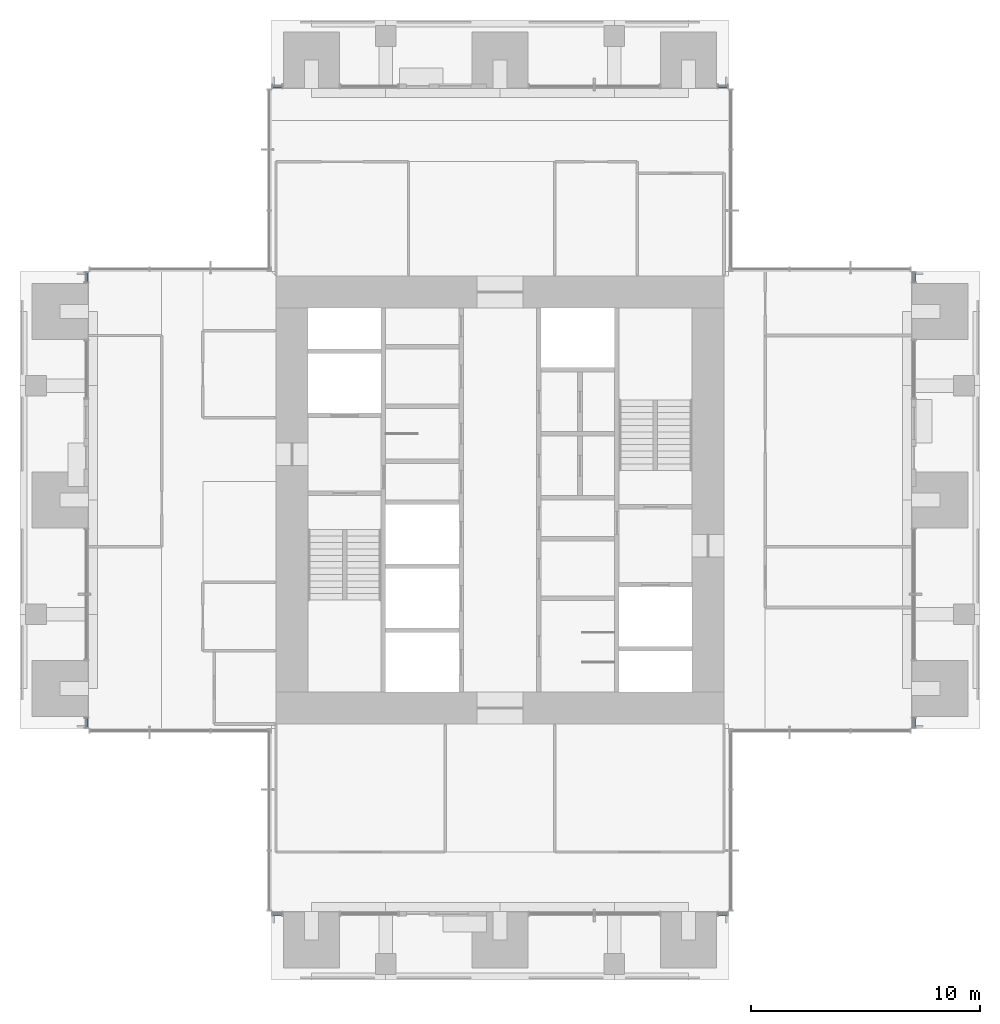
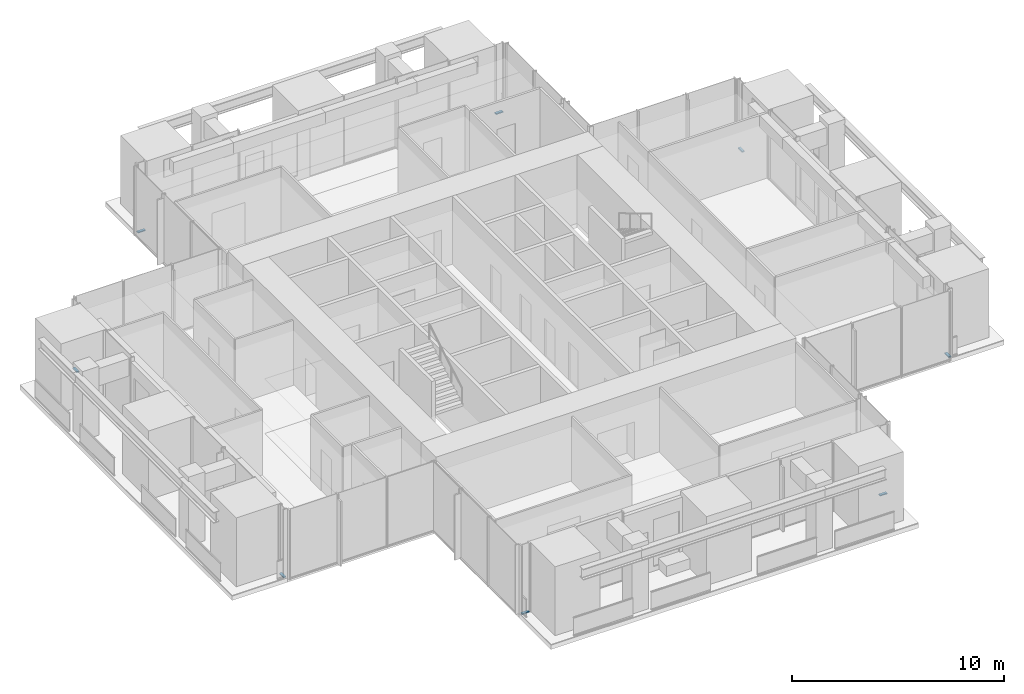
# One storey, part 6 of 17: 8 members, 8 elements without a shape of their own.
"""IFC4 building model written with IfcOpenShell, lengths in metres."""

from ifc_helpers import new_model, si_unit, direction, frame, origin, origin_2d, place, context, subcontext, project, spatial, rectangle, extrude, material, material_profile, profile_set, type_object, element, aggregate, save


model = new_model("IFC4")

# Units and contexts
model_context = context("Model", 3, precision=1e-05, world=origin(), true_north=direction((0.0, 1.0)))
body_context = subcontext(model_context, "Body", "Model", "MODEL_VIEW")
ifc_project = project(units=[si_unit("LENGTHUNIT", "METRE"), si_unit("AREAUNIT", "SQUARE_METRE"), si_unit("VOLUMEUNIT", "CUBIC_METRE"), si_unit("PLANEANGLEUNIT", "RADIAN"), si_unit("MASSUNIT", "GRAM", prefix="KILO")], contexts=[model_context])

# Site, building, storey
site_placement = place(None, origin())
site = spatial("IfcSite", under=ifc_project, at=site_placement, CompositionType="ELEMENT")
building_placement = place(site_placement, origin())
building = spatial("IfcBuilding", under=site, at=building_placement, Name="Svetlomir Tower", CompositionType="ELEMENT")
storey_placement = place(building_placement, frame((0.0, 0.0, 214.5)))
storey = spatial("IfcBuildingStorey", under=building, at=storey_placement, Name="L51", CompositionType="ELEMENT", Elevation=214.5)

# Curtain wall, member
ifc_material_1 = material(Name="Bronze anodised aluminium curtain wall", Category="aluminium")
curtain_wall_type = type_object("IfcCurtainWallType", Name="CURTAIN WALL CW1 TOWER OFFICE", PredefinedType="NOTDEFINED", material=ifc_material_1)
curtain_wall_1_placement = place(storey_placement, origin())
curtain_wall_1 = element("IfcCurtainWall", 1, at=curtain_wall_1_placement, inside=storey, type_object=curtain_wall_type, Name="Curtain wall CW1 L51", PredefinedType="NOTDEFINED")
ifc_material_2 = material(Name="Bronze anodised aluminium", Category="aluminium")
ifc_material_profile = material_profile(ifc_material_2, rectangle(XDim=0.139892578125, YDim=0.06494140625, at=origin_2d()), Name="AL 140x65")
ifc_profile_set = profile_set([ifc_material_profile], Name="Bronze anodised aluminium 6063-T6")
member_type = type_object("IfcMemberType", Name="CW1 TRANSOM 65x140", PredefinedType="USERDEFINED", material=ifc_profile_set)
member_1_placement = place(storey_placement, frame((11.06494140625, 2.89990234375, 0.032470703125), z_axis=(1.0, 0.0, 0.0), x_axis=(0.0, 1.0, 0.0)))
member_1 = element("IfcMember", 2, at=member_1_placement, type_object=member_type, Name="CW1 transom 1.1", ObjectType="TRANSOM", PredefinedType="USERDEFINED", context=body_context, shape_type="SweptSolid", body=[
    extrude(rectangle(XDim=0.139892578125, YDim=0.06494140625, at=origin_2d()), origin(), (0.0, 0.0, 1.0), 0.39501953125),
])
aggregate(curtain_wall_1, [member_1])

curtain_wall_2_placement = place(storey_placement, origin())
curtain_wall_2 = element("IfcCurtainWall", 3, at=curtain_wall_2_placement, inside=storey, type_object=curtain_wall_type, Name="Curtain wall CW1 L51", PredefinedType="NOTDEFINED")
member_2_placement = place(storey_placement, frame((30.5400390625, 2.89990234375, 0.032470703125), z_axis=(1.0, 0.0, 0.0), x_axis=(0.0, 1.0, 0.0)))
member_2 = element("IfcMember", 4, at=member_2_placement, type_object=member_type, Name="CW1 transom 1.1", ObjectType="TRANSOM", PredefinedType="USERDEFINED", context=body_context, shape_type="SweptSolid", body=[
    extrude(rectangle(XDim=0.139892578125, YDim=0.06494140625, at=origin_2d()), origin(), (0.0, 0.0, 1.0), 0.39501953125),
])
aggregate(curtain_wall_2, [member_2])

curtain_wall_3_placement = place(storey_placement, origin())
curtain_wall_3 = element("IfcCurtainWall", 5, at=curtain_wall_3_placement, inside=storey, type_object=curtain_wall_type, Name="Curtain wall CW1 L51", PredefinedType="NOTDEFINED")
member_3_placement = place(storey_placement, frame((39.10009765625, 11.06494140625, 0.032470703125), z_axis=(0.0, 1.0, 0.0), x_axis=(-1.0, 0.0, 0.0)))
member_3 = element("IfcMember", 6, at=member_3_placement, type_object=member_type, Name="CW1 transom 1.1", ObjectType="TRANSOM", PredefinedType="USERDEFINED", context=body_context, shape_type="SweptSolid", body=[
    extrude(rectangle(XDim=0.139892578125, YDim=0.06494140625, at=origin_2d()), origin(), (0.0, 0.0, 1.0), 0.39501953125),
])
aggregate(curtain_wall_3, [member_3])

curtain_wall_4_placement = place(storey_placement, origin())
curtain_wall_4 = element("IfcCurtainWall", 7, at=curtain_wall_4_placement, inside=storey, type_object=curtain_wall_type, Name="Curtain wall CW1 L51", PredefinedType="NOTDEFINED")
member_4_placement = place(storey_placement, frame((39.10009765625, 30.5400390625, 0.032470703125), z_axis=(0.0, 1.0, 0.0), x_axis=(-1.0, 0.0, 0.0)))
member_4 = element("IfcMember", 8, at=member_4_placement, type_object=member_type, Name="CW1 transom 1.1", ObjectType="TRANSOM", PredefinedType="USERDEFINED", context=body_context, shape_type="SweptSolid", body=[
    extrude(rectangle(XDim=0.139892578125, YDim=0.06494140625, at=origin_2d()), origin(), (0.0, 0.0, 1.0), 0.39501953125),
])
aggregate(curtain_wall_4, [member_4])

curtain_wall_5_placement = place(storey_placement, origin())
curtain_wall_5 = element("IfcCurtainWall", 9, at=curtain_wall_5_placement, inside=storey, type_object=curtain_wall_type, Name="Curtain wall CW1 L51", PredefinedType="NOTDEFINED")
member_5_placement = place(storey_placement, frame((30.93505859375, 39.10009765625, 0.032470703125), z_axis=(-1.0, 0.0, 0.0), x_axis=(0.0, -1.0, 0.0)))
member_5 = element("IfcMember", 10, at=member_5_placement, type_object=member_type, Name="CW1 transom 1.1", ObjectType="TRANSOM", PredefinedType="USERDEFINED", context=body_context, shape_type="SweptSolid", body=[
    extrude(rectangle(XDim=0.139892578125, YDim=0.06494140625, at=origin_2d()), origin(), (0.0, 0.0, 1.0), 0.39501953125),
])
aggregate(curtain_wall_5, [member_5])

curtain_wall_6_placement = place(storey_placement, origin())
curtain_wall_6 = element("IfcCurtainWall", 11, at=curtain_wall_6_placement, inside=storey, type_object=curtain_wall_type, Name="Curtain wall CW1 L51", PredefinedType="NOTDEFINED")
member_6_placement = place(storey_placement, frame((11.4599609375, 39.10009765625, 0.032470703125), z_axis=(-1.0, 0.0, 0.0), x_axis=(0.0, -1.0, 0.0)))
member_6 = element("IfcMember", 12, at=member_6_placement, type_object=member_type, Name="CW1 transom 1.1", ObjectType="TRANSOM", PredefinedType="USERDEFINED", context=body_context, shape_type="SweptSolid", body=[
    extrude(rectangle(XDim=0.139892578125, YDim=0.06494140625, at=origin_2d()), origin(), (0.0, 0.0, 1.0), 0.39501953125),
])
aggregate(curtain_wall_6, [member_6])

curtain_wall_7_placement = place(storey_placement, origin())
curtain_wall_7 = element("IfcCurtainWall", 13, at=curtain_wall_7_placement, inside=storey, type_object=curtain_wall_type, Name="Curtain wall CW1 L51", PredefinedType="NOTDEFINED")
member_7_placement = place(storey_placement, frame((2.89990234375, 30.93505859375, 0.032470703125), z_axis=(0.0, -1.0, 0.0), x_axis=(1.0, 0.0, 0.0)))
member_7 = element("IfcMember", 14, at=member_7_placement, type_object=member_type, Name="CW1 transom 1.1", ObjectType="TRANSOM", PredefinedType="USERDEFINED", context=body_context, shape_type="SweptSolid", body=[
    extrude(rectangle(XDim=0.139892578125, YDim=0.06494140625, at=origin_2d()), origin(), (0.0, 0.0, 1.0), 0.39501953125),
])
aggregate(curtain_wall_7, [member_7])

curtain_wall_8_placement = place(storey_placement, origin())
curtain_wall_8 = element("IfcCurtainWall", 15, at=curtain_wall_8_placement, inside=storey, type_object=curtain_wall_type, Name="Curtain wall CW1 L51", PredefinedType="NOTDEFINED")
member_8_placement = place(storey_placement, frame((2.89990234375, 11.4599609375, 0.032470703125), z_axis=(0.0, -1.0, 0.0), x_axis=(1.0, 0.0, 0.0)))
member_8 = element("IfcMember", 16, at=member_8_placement, type_object=member_type, Name="CW1 transom 1.1", ObjectType="TRANSOM", PredefinedType="USERDEFINED", context=body_context, shape_type="SweptSolid", body=[
    extrude(rectangle(XDim=0.139892578125, YDim=0.06494140625, at=origin_2d()), origin(), (0.0, 0.0, 1.0), 0.39501953125),
])
aggregate(curtain_wall_8, [member_8])

save(model, "model.ifc")
